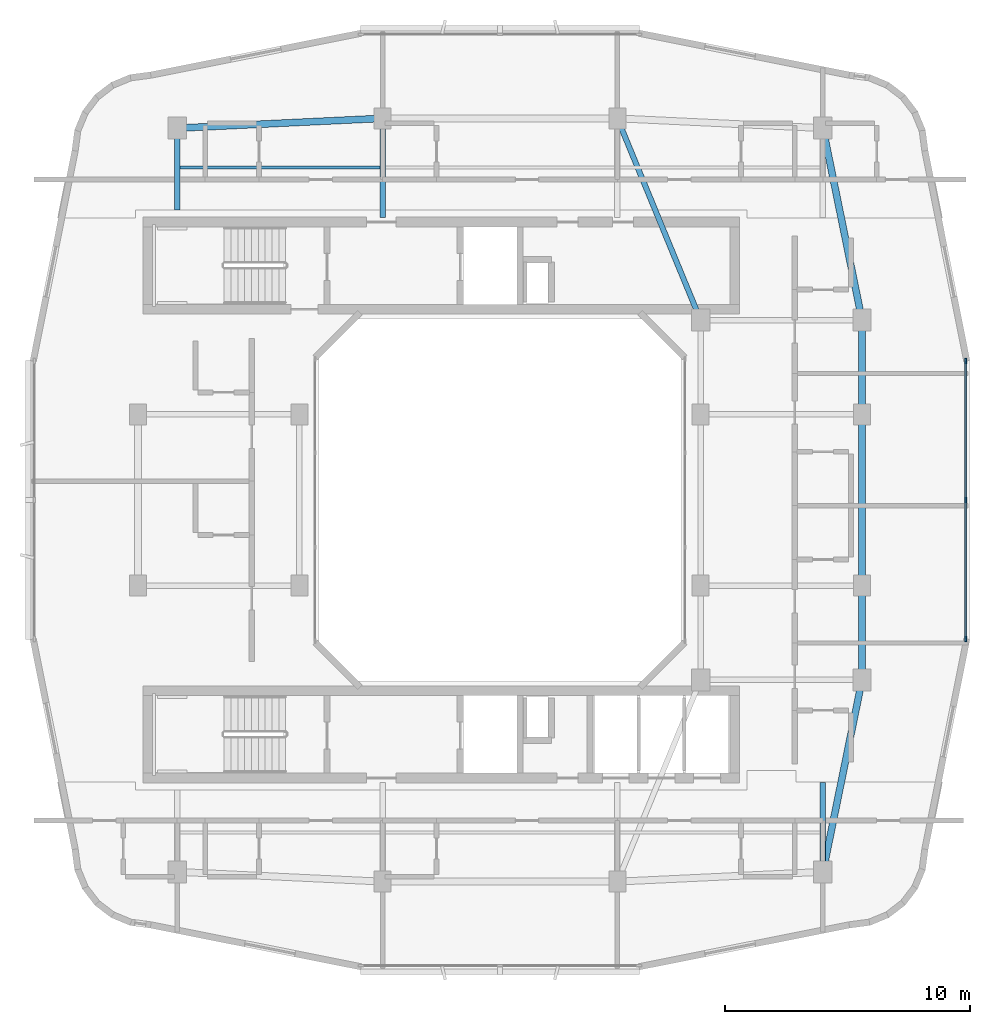
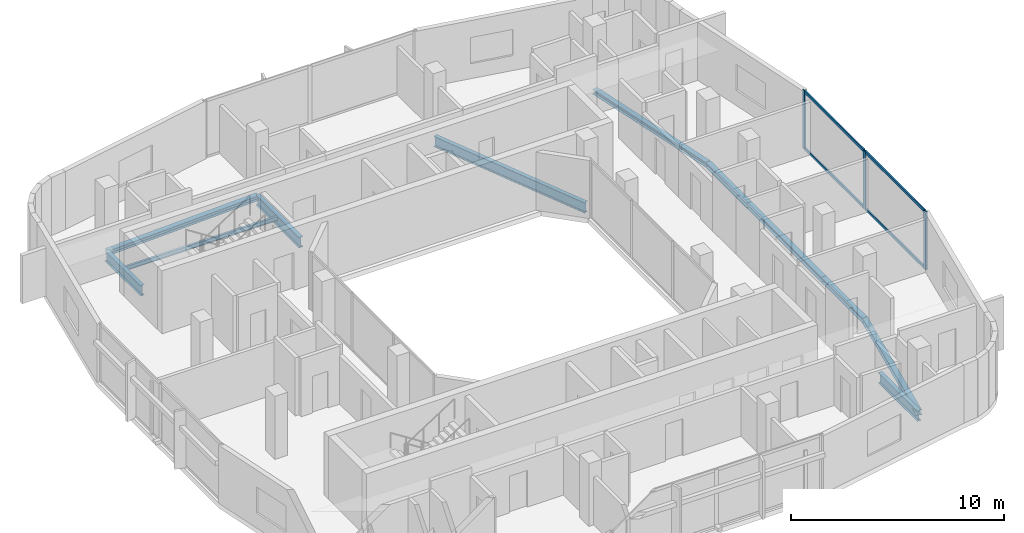
# One storey, part 4 of 14: 11 beams, 7 members, 1 element without a shape of its own.
"""IFC4 building model written with IfcOpenShell, lengths in metres."""

from ifc_helpers import new_model, si_unit, derived_unit, direction, frame, origin, origin_2d, place, context, subcontext, project, spatial, rectangle, i_section, extrude, material, layer, layer_set, material_profile, profile_set, type_object, element, aggregate, save


model = new_model("IFC4")

# Units and contexts
model_context = context("Model", 3, precision=1e-05, world=origin(), true_north=direction((0.0, 1.0)))
body_context = subcontext(model_context, "Body", "Model", "MODEL_VIEW")
ifc_project = project(units=[si_unit("LENGTHUNIT", "METRE"), si_unit("AREAUNIT", "SQUARE_METRE"), si_unit("VOLUMEUNIT", "CUBIC_METRE"), si_unit("PLANEANGLEUNIT", "RADIAN"), si_unit("MASSUNIT", "GRAM", prefix="KILO"), derived_unit("THERMALTRANSMITTANCEUNIT", [(si_unit("POWERUNIT", "WATT"), 1), (si_unit("LENGTHUNIT", "METRE"), -2), (si_unit("THERMODYNAMICTEMPERATUREUNIT", "KELVIN"), -1)])], contexts=[model_context])

# Site, building, storey
site_placement = place(None, origin())
site = spatial("IfcSite", under=ifc_project, at=site_placement, CompositionType="ELEMENT")
building_placement = place(site_placement, origin())
building = spatial("IfcBuilding", under=site, at=building_placement, Name="Kivonza Crest Hotel", CompositionType="ELEMENT")
storey_placement = place(building_placement, frame((0.0, 0.0, 227.89990234375)))
storey = spatial("IfcBuildingStorey", under=building, at=storey_placement, Name="L62", CompositionType="ELEMENT", Elevation=227.89990234375)

# Beams
ifc_material_1 = material(Name="Steel S355", Category="steel")
ifc_material_profile_1 = material_profile(ifc_material_1, i_section(OverallWidth=0.280029296875, OverallDepth=0.280029296875, WebThickness=0.010498046875, FlangeThickness=0.01806640625, FilletRadius=0.02392578125, at=origin_2d()), Name="HEB 280")
ifc_profile_set_1 = profile_set([ifc_material_profile_1], Name="Steel S355")
beam_type_1 = type_object("IfcBeamType", Name="BM-HEB280", PredefinedType="SPANDREL", material=ifc_profile_set_1)
beam_1_placement = place(storey_placement, frame((34.199951171875, 9.800048828125, -0.419921875), z_axis=(0.199730733965, 0.979850822273, 0.0), x_axis=(-0.979850822273, 0.199730733965, 0.0)))
element("IfcBeam", 1, at=beam_1_placement, inside=storey, type_object=beam_type_1, Name="Tower T1 L62 perimeter spandrel SE-PSE", PredefinedType="SPANDREL", context=body_context, shape_type="SweptSolid", body=[
    extrude(i_section(OverallWidth=0.280029296875, OverallDepth=0.280029296875, WebThickness=0.010498046875, FlangeThickness=0.01806640625, FilletRadius=0.02392578125, at=origin_2d()), origin(), (0.0, 0.0, 1.0), 8.01123046875),
])
beam_2_placement = place(storey_placement, frame((35.800048828125, 17.64990234375, -0.419921875), z_axis=(0.0, 1.0, 0.0), x_axis=(-1.0, 0.0, 0.0)))
element("IfcBeam", 2, at=beam_2_placement, inside=storey, type_object=beam_type_1, Name="Tower T1 L62 perimeter spandrel PSE-E1", PredefinedType="SPANDREL", context=body_context, shape_type="SweptSolid", body=[
    extrude(i_section(OverallWidth=0.280029296875, OverallDepth=0.280029296875, WebThickness=0.010498046875, FlangeThickness=0.01806640625, FilletRadius=0.02392578125, at=origin_2d()), origin(), (0.0, 0.0, 1.0), 3.85009765625),
])
beam_3_placement = place(storey_placement, frame((35.800048828125, 21.5, -0.419921875), z_axis=(0.0, 1.0, 0.0), x_axis=(-1.0, 0.0, 0.0)))
element("IfcBeam", 3, at=beam_3_placement, inside=storey, type_object=beam_type_1, Name="Tower T1 L62 perimeter spandrel E1-E2", PredefinedType="SPANDREL", context=body_context, shape_type="SweptSolid", body=[
    extrude(i_section(OverallWidth=0.280029296875, OverallDepth=0.280029296875, WebThickness=0.010498046875, FlangeThickness=0.01806640625, FilletRadius=0.02392578125, at=origin_2d()), origin(), (0.0, 0.0, 1.0), 7.0),
])
beam_4_placement = place(storey_placement, frame((35.800048828125, 28.5, -0.419921875), z_axis=(0.0, 1.0, 0.0), x_axis=(-1.0, 0.0, 0.0)))
element("IfcBeam", 4, at=beam_4_placement, inside=storey, type_object=beam_type_1, Name="Tower T1 L62 perimeter spandrel E2-PNE", PredefinedType="SPANDREL", context=body_context, shape_type="SweptSolid", body=[
    extrude(i_section(OverallWidth=0.280029296875, OverallDepth=0.280029296875, WebThickness=0.010498046875, FlangeThickness=0.01806640625, FilletRadius=0.02392578125, at=origin_2d()), origin(), (0.0, 0.0, 1.0), 3.85009765625),
])
beam_5_placement = place(storey_placement, frame((35.800048828125, 32.35009765625, -0.419921875), z_axis=(-0.199730733965, 0.979850822273, 0.0), x_axis=(-0.979850822273, -0.199730733965, 0.0)))
element("IfcBeam", 5, at=beam_5_placement, inside=storey, type_object=beam_type_1, Name="Tower T1 L62 perimeter spandrel PNE-NE", PredefinedType="SPANDREL", context=body_context, shape_type="SweptSolid", body=[
    extrude(i_section(OverallWidth=0.280029296875, OverallDepth=0.280029296875, WebThickness=0.010498046875, FlangeThickness=0.01806640625, FilletRadius=0.02392578125, at=origin_2d()), origin(), (0.0, 0.0, 1.0), 8.01123046875),
])
beam_6_placement = place(storey_placement, frame((16.199951171875, 40.60009765625, -0.419921875), z_axis=(-0.998867283688, -0.047583080799, 0.0), x_axis=(0.047583080799, -0.998867283688, 0.0)))
element("IfcBeam", 6, at=beam_6_placement, inside=storey, type_object=beam_type_1, Name="Tower T1 L62 perimeter spandrel N1-NW", PredefinedType="SPANDREL", context=body_context, shape_type="SweptSolid", body=[
    extrude(i_section(OverallWidth=0.280029296875, OverallDepth=0.280029296875, WebThickness=0.010498046875, FlangeThickness=0.01806640625, FilletRadius=0.02392578125, at=origin_2d()), origin(), (0.0, 0.0, 1.0), 8.409423828125),
])
ifc_material_profile_2 = material_profile(ifc_material_1, i_section(OverallWidth=0.1201171875, OverallDepth=0.239990234375, WebThickness=0.006103515625, FlangeThickness=0.009765625, FilletRadius=0.014892578125, at=origin_2d()), Name="IPE 240")
ifc_profile_set_2 = profile_set([ifc_material_profile_2], Name="Steel S355")
beam_type_2 = type_object("IfcBeamType", Name="BM-IPE240", PredefinedType="JOIST", material=ifc_profile_set_2)
beam_7_placement = place(storey_placement, frame((7.8798828125, 38.60009765625, -0.39990234375), z_axis=(1.0, 0.0, 0.0), x_axis=(0.0, 1.0, 0.0)))
element("IfcBeam", 7, at=beam_7_placement, inside=storey, type_object=beam_type_2, Name="Tower T1 L62 North-West floor joist", PredefinedType="JOIST", context=body_context, shape_type="SweptSolid", body=[
    extrude(i_section(OverallWidth=0.1201171875, OverallDepth=0.239990234375, WebThickness=0.006103515625, FlangeThickness=0.009765625, FilletRadius=0.014892578125, at=origin_2d()), origin(), (0.0, 0.0, 1.0), 8.240234375),
])
ifc_material_profile_3 = material_profile(ifc_material_1, i_section(OverallWidth=0.219970703125, OverallDepth=0.60009765625, WebThickness=0.011962890625, FlangeThickness=0.01904296875, FilletRadius=0.02392578125, at=origin_2d()), Name="IPE 600")
ifc_profile_set_3 = profile_set([ifc_material_profile_3], Name="Steel S355")
beam_type_3 = type_object("IfcBeamType", Name="BM-IPE600", PredefinedType="BEAM", material=ifc_profile_set_3)
beam_8_placement = place(storey_placement, frame((25.800048828125, 40.60009765625, -0.579833984375), z_axis=(0.381022260404, -0.924565864109, 0.0), x_axis=(0.924565864109, 0.381022260404, 0.0)))
element("IfcBeam", 8, at=beam_8_placement, inside=storey, type_object=beam_type_3, Name="Tower T1 L62 primary girder N1-TNE", PredefinedType="BEAM", context=body_context, shape_type="SweptSolid", body=[
    extrude(i_section(OverallWidth=0.219970703125, OverallDepth=0.60009765625, WebThickness=0.011962890625, FlangeThickness=0.01904296875, FilletRadius=0.02392578125, at=origin_2d()), origin(), (0.0, 0.0, 1.0), 8.923095703125),
])
beam_9_placement = place(storey_placement, frame((34.199951171875, 9.800048828125, -0.579833984375), z_axis=(0.0, 1.0, 0.0), x_axis=(-1.0, 0.0, 0.0)))
element("IfcBeam", 9, at=beam_9_placement, inside=storey, type_object=beam_type_3, Name="Tower T1 L62 radial core girder RSE", PredefinedType="BEAM", context=body_context, shape_type="SweptSolid", body=[
    extrude(i_section(OverallWidth=0.219970703125, OverallDepth=0.60009765625, WebThickness=0.011962890625, FlangeThickness=0.01904296875, FilletRadius=0.02392578125, at=origin_2d()), origin(), (0.0, 0.0, 1.0), 3.64990234375),
])
beam_10_placement = place(storey_placement, frame((7.800048828125, 40.199951171875, -0.579833984375), z_axis=(0.0, -1.0, 0.0), x_axis=(1.0, 0.0, 0.0)))
element("IfcBeam", 10, at=beam_10_placement, inside=storey, type_object=beam_type_3, Name="Tower T1 L62 radial core girder RNW", PredefinedType="BEAM", context=body_context, shape_type="SweptSolid", body=[
    extrude(i_section(OverallWidth=0.219970703125, OverallDepth=0.60009765625, WebThickness=0.011962890625, FlangeThickness=0.01904296875, FilletRadius=0.02392578125, at=origin_2d()), origin(), (0.0, 0.0, 1.0), 3.349853515625),
])
beam_11_placement = place(storey_placement, frame((16.199951171875, 40.60009765625, -0.579833984375), z_axis=(0.0, -1.0, 0.0), x_axis=(1.0, 0.0, 0.0)))
element("IfcBeam", 11, at=beam_11_placement, inside=storey, type_object=beam_type_3, Name="Tower T1 L62 radial core girder RN1", PredefinedType="BEAM", context=body_context, shape_type="SweptSolid", body=[
    extrude(i_section(OverallWidth=0.219970703125, OverallDepth=0.60009765625, WebThickness=0.011962890625, FlangeThickness=0.01904296875, FilletRadius=0.02392578125, at=origin_2d()), origin(), (0.0, 0.0, 1.0), 4.050048828125),
])

# Curtain wall, members
ifc_material_2 = material(Name="Anodised bronze aluminium and low-E double glazing", Category="aluminium")
ifc_layer = layer(ifc_material_2, 0.179931640625)
ifc_layer_set = layer_set([ifc_layer], Name="Anodised bronze aluminium and low-E double glazing")
curtain_wall_type = type_object("IfcCurtainWallType", Name="CW-SYS-3", PredefinedType="NOTDEFINED", material=ifc_layer_set)
curtain_wall_placement = place(storey_placement, origin())
curtain_wall = element("IfcCurtainWall", 12, at=curtain_wall_placement, inside=storey, type_object=curtain_wall_type, Name="L62 unitised curtain wall CW-T1-L62-17", PredefinedType="NOTDEFINED")
ifc_material_3 = material(Name="Anodised bronze aluminium", Category="aluminium")
ifc_material_profile_4 = material_profile(ifc_material_3, rectangle(XDim=0.074951171875, YDim=0.219970703125, at=origin_2d()), Name="CW-M 75x220")
ifc_profile_set_4 = profile_set([ifc_material_profile_4], Name="Anodised bronze aluminium")
member_type_1 = type_object("IfcMemberType", Name="CW-MUL-75x220", PredefinedType="MULLION", material=ifc_profile_set_4)
member_1_placement = place(storey_placement, frame((40.0400390625, 19.3173828125, 0.0), z_axis=(0.0, 0.0, 1.0), x_axis=(-1.0, 0.0, 0.0)))
member_1 = element("IfcMember", 13, at=member_1_placement, type_object=member_type_1, Name="CW-3 mullion 1", PredefinedType="MULLION", context=body_context, shape_type="SweptSolid", body=[
    extrude(rectangle(XDim=0.074951171875, YDim=0.219970703125, at=origin_2d()), origin(), (0.0, 0.0, 1.0), 3.320068359375),
])
member_2_placement = place(storey_placement, frame((40.0400390625, 25.0, 0.0), z_axis=(0.0, 0.0, 1.0), x_axis=(-1.0, 0.0, 0.0)))
member_2 = element("IfcMember", 14, at=member_2_placement, type_object=member_type_1, Name="CW-3 mullion 2", PredefinedType="MULLION", context=body_context, shape_type="SweptSolid", body=[
    extrude(rectangle(XDim=0.074951171875, YDim=0.219970703125, at=origin_2d()), origin(), (0.0, 0.0, 1.0), 3.320068359375),
])
member_3_placement = place(storey_placement, frame((40.0400390625, 30.6826171875, 0.0), z_axis=(0.0, 0.0, 1.0), x_axis=(-1.0, 0.0, 0.0)))
member_3 = element("IfcMember", 15, at=member_3_placement, type_object=member_type_1, Name="CW-3 mullion 3", PredefinedType="MULLION", context=body_context, shape_type="SweptSolid", body=[
    extrude(rectangle(XDim=0.074951171875, YDim=0.219970703125, at=origin_2d()), origin(), (0.0, 0.0, 1.0), 3.320068359375),
])
ifc_material_profile_5 = material_profile(ifc_material_3, rectangle(XDim=0.074951171875, YDim=0.159912109375, at=origin_2d()), Name="CW-T 75x160")
ifc_profile_set_5 = profile_set([ifc_material_profile_5], Name="Anodised bronze aluminium")
member_type_2 = type_object("IfcMemberType", Name="CW-TRN-75x160", PredefinedType="USERDEFINED", material=ifc_profile_set_5)
member_4_placement = place(storey_placement, frame((40.0400390625, 19.35498046875, 0.03759765625), z_axis=(0.0, 1.0, 0.0), x_axis=(-1.0, 0.0, 0.0)))
member_4 = element("IfcMember", 16, at=member_4_placement, type_object=member_type_2, Name="CW-3 transom 1.1", ObjectType="TRANSOM", PredefinedType="USERDEFINED", context=body_context, shape_type="SweptSolid", body=[
    extrude(rectangle(XDim=0.074951171875, YDim=0.159912109375, at=origin_2d()), origin(), (0.0, 0.0, 1.0), 5.607421875),
])
member_5_placement = place(storey_placement, frame((40.0400390625, 19.35498046875, 3.28271484375), z_axis=(0.0, 1.0, 0.0), x_axis=(-1.0, 0.0, 0.0)))
member_5 = element("IfcMember", 17, at=member_5_placement, type_object=member_type_2, Name="CW-3 transom 1.2", ObjectType="TRANSOM", PredefinedType="USERDEFINED", context=body_context, shape_type="SweptSolid", body=[
    extrude(rectangle(XDim=0.074951171875, YDim=0.159912109375, at=origin_2d()), origin(), (0.0, 0.0, 1.0), 5.607421875),
])
member_6_placement = place(storey_placement, frame((40.0400390625, 25.03759765625, 0.03759765625), z_axis=(0.0, 1.0, 0.0), x_axis=(-1.0, 0.0, 0.0)))
member_6 = element("IfcMember", 18, at=member_6_placement, type_object=member_type_2, Name="CW-3 transom 2.1", ObjectType="TRANSOM", PredefinedType="USERDEFINED", context=body_context, shape_type="SweptSolid", body=[
    extrude(rectangle(XDim=0.074951171875, YDim=0.159912109375, at=origin_2d()), origin(), (0.0, 0.0, 1.0), 5.607421875),
])
member_7_placement = place(storey_placement, frame((40.0400390625, 25.03759765625, 3.28271484375), z_axis=(0.0, 1.0, 0.0), x_axis=(-1.0, 0.0, 0.0)))
member_7 = element("IfcMember", 19, at=member_7_placement, type_object=member_type_2, Name="CW-3 transom 2.2", ObjectType="TRANSOM", PredefinedType="USERDEFINED", context=body_context, shape_type="SweptSolid", body=[
    extrude(rectangle(XDim=0.074951171875, YDim=0.159912109375, at=origin_2d()), origin(), (0.0, 0.0, 1.0), 5.607421875),
])
aggregate(curtain_wall, [member_1, member_2, member_3, member_4, member_5, member_6, member_7])

save(model, "model.ifc")
